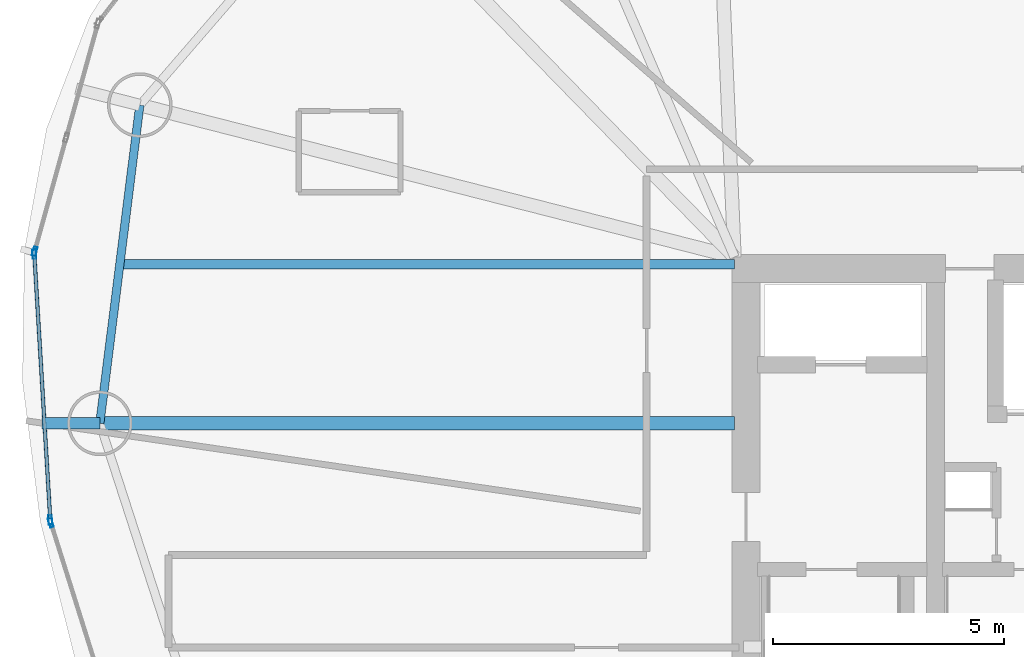
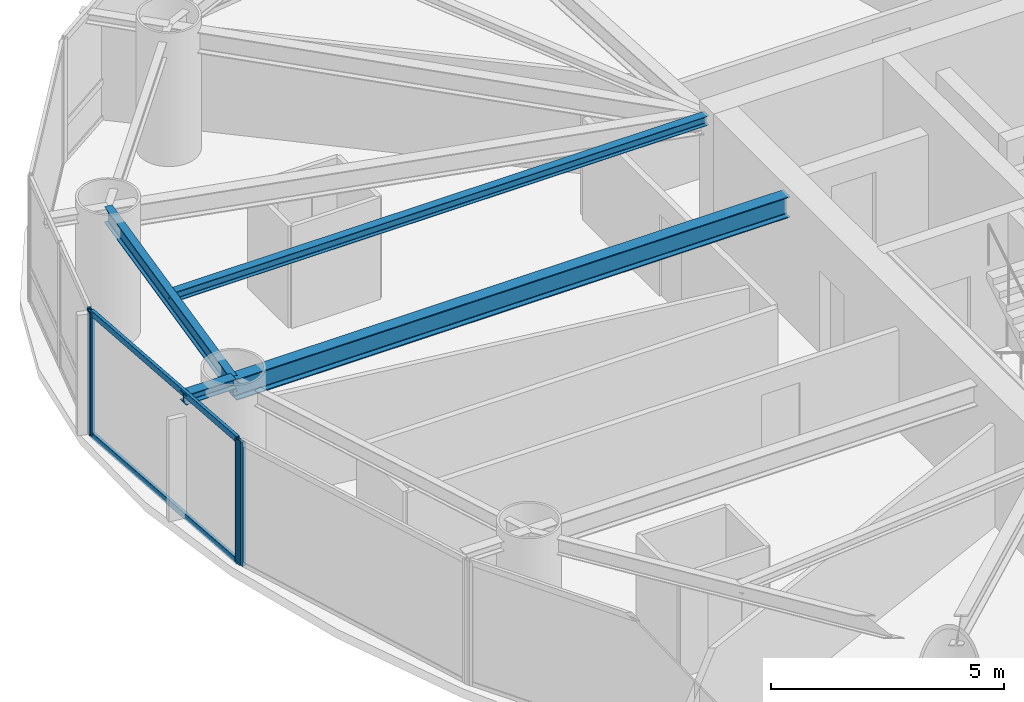
# One storey, part 6 of 22: 6 members, 4 beams, 3 elements without a shape of their own.
"""IFC4 building model written with IfcOpenShell, lengths in metres."""

from ifc_helpers import new_model, si_unit, direction, frame, origin, origin_2d, place, context, subcontext, project, spatial, hollow_rectangle, i_section, extrude, material, layer, layer_set, material_profile, profile_set, type_object, element, aggregate, save


model = new_model("IFC4")

# Units and contexts
model_context = context("Model", 3, precision=1e-05, world=origin(), true_north=direction((0.0, 1.0)))
body_context = subcontext(model_context, "Body", "Model", "MODEL_VIEW")
ifc_project = project(units=[si_unit("LENGTHUNIT", "METRE"), si_unit("AREAUNIT", "SQUARE_METRE"), si_unit("VOLUMEUNIT", "CUBIC_METRE"), si_unit("PLANEANGLEUNIT", "RADIAN"), si_unit("MASSUNIT", "GRAM", prefix="KILO")], contexts=[model_context])

# Site, building, storey
site_placement = place(None, origin())
site = spatial("IfcSite", under=ifc_project, at=site_placement, CompositionType="ELEMENT")
building_placement = place(site_placement, origin())
building = spatial("IfcBuilding", under=site, at=building_placement, Name="Bramvorn Convention Spire", CompositionType="ELEMENT")
storey_placement = place(building_placement, frame((0.0, 0.0, 137.800048828125)))
storey = spatial("IfcBuildingStorey", under=building, at=storey_placement, Name="L34", CompositionType="ELEMENT", Elevation=137.800048828125)

# Beams
ifc_material_1 = material(Name="Steel CSA G40.21 Grade 350 (350W)", Category="steel")
ifc_material_profile_1 = material_profile(ifc_material_1, i_section(OverallWidth=0.201904296875, OverallDepth=0.2470703125, WebThickness=0.00732421875, FlangeThickness=0.010986328125, FilletRadius=0.011962890625, at=origin_2d()))
ifc_profile_set_1 = profile_set([ifc_material_profile_1], Name="Steel CSA G40.21 Grade 350 (350W) - W250X49")
beam_type_1 = type_object("IfcBeamType", Name="BM-W250X49", PredefinedType="JOIST", material=ifc_profile_set_1)
beam_1_placement = place(storey_placement, frame((26.75, 33.294921875, 3.136474609375), z_axis=(-1.0, 0.0, 0.0), x_axis=(0.0, -1.0, 0.0)))
element("IfcBeam", 1, at=beam_1_placement, inside=storey, type_object=beam_type_1, Name="L34 composite floor joist 09", PredefinedType="JOIST", context=body_context, shape_type="SweptSolid", body=[
    extrude(i_section(OverallWidth=0.201904296875, OverallDepth=0.2470703125, WebThickness=0.00732421875, FlangeThickness=0.010986328125, FilletRadius=0.011962890625, at=origin_2d()), origin(), (0.0, 0.0, 1.0), 13.30078125),
])
ifc_material_profile_2 = material_profile(ifc_material_1, i_section(OverallWidth=0.25390625, OverallDepth=0.2529296875, WebThickness=0.008544921875, FlangeThickness=0.01416015625, FilletRadius=0.011962890625, at=origin_2d()))
ifc_profile_set_2 = profile_set([ifc_material_profile_2], Name="Steel CSA G40.21 Grade 350 (350W) - W250X73")
beam_type_2 = type_object("IfcBeamType", Name="BM-W250X73", PredefinedType="BEAM", material=ifc_profile_set_2)
beam_2_placement = place(storey_placement, frame((13.016357421875, 29.851806640625, 3.133544921875), z_axis=(-1.0, 0.0, 0.0), x_axis=(0.0, -1.0, 0.0)))
element("IfcBeam", 2, at=beam_2_placement, inside=storey, type_object=beam_type_2, Name="L34 slab-edge cantilever tip beam MC10", PredefinedType="BEAM", context=body_context, shape_type="SweptSolid", body=[
    extrude(i_section(OverallWidth=0.25390625, OverallDepth=0.2529296875, WebThickness=0.008544921875, FlangeThickness=0.01416015625, FilletRadius=0.011962890625, at=origin_2d()), origin(), (0.0, 0.0, 1.0), 1.24609375),
])
ifc_material_profile_3 = material_profile(ifc_material_1, i_section(OverallWidth=0.180908203125, OverallDepth=0.4169921875, WebThickness=0.010986328125, FlangeThickness=0.018310546875, FilletRadius=0.01611328125, at=origin_2d()))
ifc_profile_set_3 = profile_set([ifc_material_profile_3], Name="Steel CSA G40.21 Grade 350 (350W) - W410X85")
beam_type_3 = type_object("IfcBeamType", Name="BM-W410X85", PredefinedType="JOIST", material=ifc_profile_set_3)
beam_3_placement = place(storey_placement, frame((13.88232421875, 36.73779296875, 3.051513671875), z_axis=(-0.124775053879, -0.992185056292, 0.0), x_axis=(0.992185056292, -0.124775053879, 0.0)))
element("IfcBeam", 3, at=beam_3_placement, inside=storey, type_object=beam_type_3, Name="L34 mega-column ring beam 09", PredefinedType="JOIST", context=body_context, shape_type="SweptSolid", body=[
    extrude(i_section(OverallWidth=0.180908203125, OverallDepth=0.4169921875, WebThickness=0.010986328125, FlangeThickness=0.018310546875, FilletRadius=0.01611328125, at=origin_2d()), origin(), (0.0, 0.0, 1.0), 6.940185546875),
])
ifc_material_profile_4 = material_profile(ifc_material_1, i_section(OverallWidth=0.2919921875, OverallDepth=0.551025390625, WebThickness=0.01513671875, FlangeThickness=0.0244140625, FilletRadius=0.01904296875, at=origin_2d()))
ifc_profile_set_4 = profile_set([ifc_material_profile_4], Name="Steel CSA G40.21 Grade 350 (350W) - W530X182")
beam_type_4 = type_object("IfcBeamType", Name="BM-W530X182", PredefinedType="BEAM", material=ifc_profile_set_4)
beam_4_placement = place(storey_placement, frame((26.75, 29.851806640625, 2.984375), z_axis=(-1.0, 0.0, 0.0), x_axis=(0.0, -1.0, 0.0)))
element("IfcBeam", 4, at=beam_4_placement, inside=storey, type_object=beam_type_4, Name="L34 radial floor girder MC10", PredefinedType="BEAM", context=body_context, shape_type="SweptSolid", body=[
    extrude(i_section(OverallWidth=0.2919921875, OverallDepth=0.551025390625, WebThickness=0.01513671875, FlangeThickness=0.0244140625, FilletRadius=0.01904296875, at=origin_2d()), origin(), (0.0, 0.0, 1.0), 13.733642578125),
])

# Curtain wall, member
ifc_material_2 = material(Name="Anodised Bronze Unitised Curtain Wall", Category="aluminium")
ifc_layer = layer(ifc_material_2, 0.179931640625)
ifc_layer_set = layer_set([ifc_layer], Name="Anodised Bronze Unitised Curtain Wall - CW-HTL-FRIT")
curtain_wall_type = type_object("IfcCurtainWallType", Name="CW-HTL-FRIT", PredefinedType="USERDEFINED", material=ifc_layer_set)
curtain_wall_1_placement = place(storey_placement, origin())
curtain_wall_1 = element("IfcCurtainWall", 5, at=curtain_wall_1_placement, inside=storey, type_object=curtain_wall_type, Name="L34 fritted glass curtain wall 13", ObjectType="UNITISED CURTAIN WALL", PredefinedType="USERDEFINED")
ifc_material_3 = material(Name="Anodised Bronze Aluminium 6063-T6", Category="aluminium")
ifc_material_profile_5 = material_profile(ifc_material_3, hollow_rectangle(XDim=0.080078125, YDim=0.199951171875, WallThickness=0.00390625, InnerFilletRadius=0.0009765625, OuterFilletRadius=0.00390625, at=origin_2d()))
ifc_profile_set_5 = profile_set([ifc_material_profile_5], Name="Anodised Bronze Aluminium 6063-T6 - CWM80X200")
member_type_1 = type_object("IfcMemberType", Name="CW-MUL-180", PredefinedType="MULLION", material=ifc_profile_set_5)
member_1_placement = place(storey_placement, frame((11.60498046875, 33.571533203125, 0.0), z_axis=(0.0, 0.0, 1.0), x_axis=(-0.963527322943, 0.267609973548, 0.0)))
member_1 = element("IfcMember", 6, at=member_1_placement, type_object=member_type_1, Name="CW2 mullion 1", PredefinedType="MULLION", context=body_context, shape_type="SweptSolid", body=[
    extrude(hollow_rectangle(XDim=0.080078125, YDim=0.199951171875, WallThickness=0.00390625, InnerFilletRadius=0.0009765625, OuterFilletRadius=0.00390625, at=origin_2d()), origin(), (0.0, 0.0, 1.0), 3.260009765625),
])
aggregate(curtain_wall_1, [member_1])

# Curtain wall, members
curtain_wall_2_placement = place(storey_placement, origin())
curtain_wall_2 = element("IfcCurtainWall", 7, at=curtain_wall_2_placement, inside=storey, type_object=curtain_wall_type, Name="L34 fritted glass curtain wall 14", ObjectType="UNITISED CURTAIN WALL", PredefinedType="USERDEFINED")
member_2_placement = place(storey_placement, frame((11.944580078125, 27.76025390625, 0.0), z_axis=(0.0, 0.0, 1.0), x_axis=(-0.99819598411, -0.060039797682, 0.0)))
member_2 = element("IfcMember", 8, at=member_2_placement, type_object=member_type_1, Name="CW2 mullion 1", PredefinedType="MULLION", context=body_context, shape_type="SweptSolid", body=[
    extrude(hollow_rectangle(XDim=0.080078125, YDim=0.199951171875, WallThickness=0.00390625, InnerFilletRadius=0.0009765625, OuterFilletRadius=0.00390625, at=origin_2d()), origin(), (0.0, 0.0, 1.0), 3.260009765625),
])
member_3_placement = place(storey_placement, frame((11.5986328125, 33.5126953125, 0.0), z_axis=(0.0, 0.0, 1.0), x_axis=(-0.99819598411, -0.060039797682, 0.0)))
member_3 = element("IfcMember", 9, at=member_3_placement, type_object=member_type_1, Name="CW2 mullion 2", PredefinedType="MULLION", context=body_context, shape_type="SweptSolid", body=[
    extrude(hollow_rectangle(XDim=0.080078125, YDim=0.199951171875, WallThickness=0.00390625, InnerFilletRadius=0.0009765625, OuterFilletRadius=0.00390625, at=origin_2d()), origin(), (0.0, 0.0, 1.0), 3.260009765625),
])

# Curtain wall, member
curtain_wall_3_placement = place(storey_placement, origin())
curtain_wall_3 = element("IfcCurtainWall", 10, at=curtain_wall_3_placement, inside=storey, type_object=curtain_wall_type, Name="L34 fritted glass curtain wall 15", ObjectType="UNITISED CURTAIN WALL", PredefinedType="USERDEFINED")
member_4_placement = place(storey_placement, frame((11.95556640625, 27.701904296875, 0.0), z_axis=(0.0, 0.0, 1.0), x_axis=(-0.953779510909, -0.300507312007, 0.0)))
member_4 = element("IfcMember", 11, at=member_4_placement, type_object=member_type_1, Name="CW2 mullion 2", PredefinedType="MULLION", context=body_context, shape_type="SweptSolid", body=[
    extrude(hollow_rectangle(XDim=0.080078125, YDim=0.199951171875, WallThickness=0.00390625, InnerFilletRadius=0.0009765625, OuterFilletRadius=0.00390625, at=origin_2d()), origin(), (0.0, 0.0, 1.0), 3.260009765625),
])
aggregate(curtain_wall_3, [member_4])

# Member
ifc_material_profile_6 = material_profile(ifc_material_3, hollow_rectangle(XDim=0.080078125, YDim=0.159912109375, WallThickness=0.00390625, InnerFilletRadius=0.0009765625, OuterFilletRadius=0.00390625, at=origin_2d()))
ifc_profile_set_6 = profile_set([ifc_material_profile_6], Name="Anodised Bronze Aluminium 6063-T6 - CWT80X160")
member_type_2 = type_object("IfcMemberType", Name="CW-TRN-150", PredefinedType="USERDEFINED", material=ifc_profile_set_6)
member_5_placement = place(storey_placement, frame((11.94287109375, 27.790283203125, 0.030029296875), z_axis=(-0.060019405971, 0.998197210428, 0.0), x_axis=(-0.998197210428, -0.060019405971, 0.0)))
member_5 = element("IfcMember", 12, at=member_5_placement, type_object=member_type_2, Name="CW2 transom 1.1", ObjectType="TRANSOM", PredefinedType="USERDEFINED", context=body_context, shape_type="SweptSolid", body=[
    extrude(hollow_rectangle(XDim=0.080078125, YDim=0.159912109375, WallThickness=0.00390625, InnerFilletRadius=0.0009765625, OuterFilletRadius=0.00390625, at=origin_2d()), origin(), (0.0, 0.0, 1.0), 5.702880859375),
])

member_6_placement = place(storey_placement, frame((11.94287109375, 27.790283203125, 3.22998046875), z_axis=(-0.060019405971, 0.998197210428, 0.0), x_axis=(-0.998197210428, -0.060019405971, 0.0)))
member_6 = element("IfcMember", 13, at=member_6_placement, type_object=member_type_2, Name="CW2 transom 1.2", ObjectType="TRANSOM", PredefinedType="USERDEFINED", context=body_context, shape_type="SweptSolid", body=[
    extrude(hollow_rectangle(XDim=0.080078125, YDim=0.159912109375, WallThickness=0.00390625, InnerFilletRadius=0.0009765625, OuterFilletRadius=0.00390625, at=origin_2d()), origin(), (0.0, 0.0, 1.0), 5.702880859375),
])

aggregate(curtain_wall_2, [member_2, member_3, member_5, member_6])

save(model, "model.ifc")
